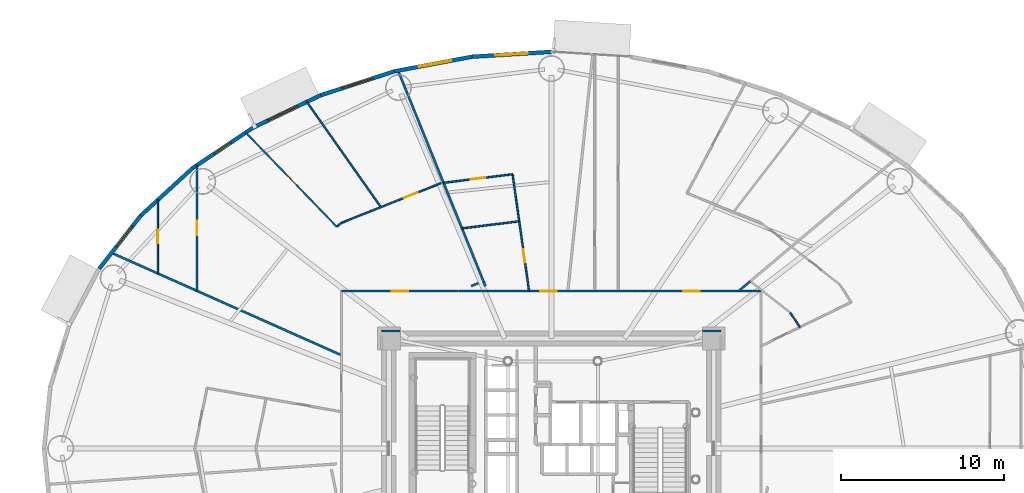
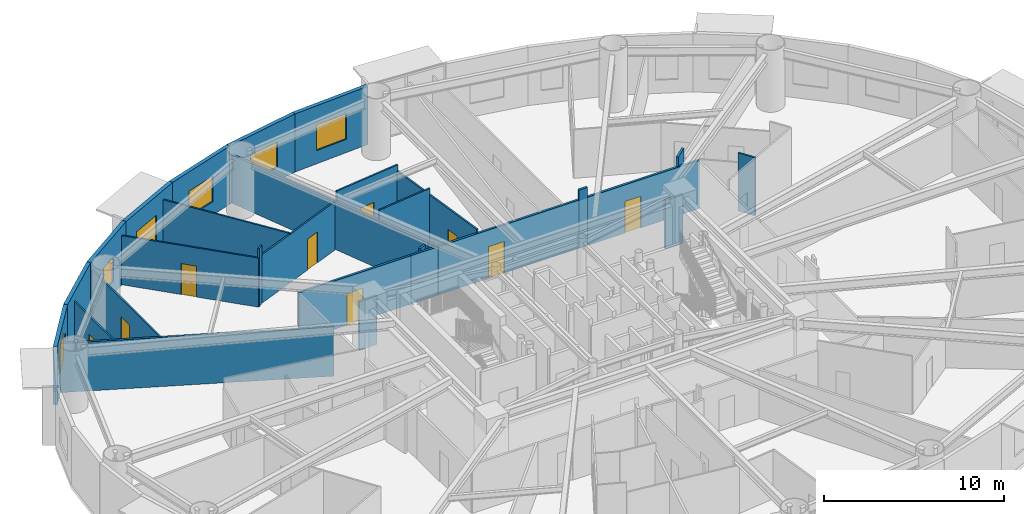
# One storey, part 12 of 21: 29 walls, 9 doors, 6 windows, 15 openings.
"""IFC4 building model written with IfcOpenShell, lengths in metres."""

from ifc_helpers import new_model, si_unit, direction, frame, frame_2d, origin, origin_2d, place, context, subcontext, project, spatial, rectangle, extrude, source, transform, mapped, material, layer, layer_set, type_object, element, fill, save


model = new_model("IFC4")

# Units and contexts
model_context = context("Model", 3, precision=1e-05, world=origin(), true_north=direction((0.0, 1.0)))
body_context = subcontext(model_context, "Body", "Model", "MODEL_VIEW")
ifc_project = project(units=[si_unit("LENGTHUNIT", "METRE"), si_unit("AREAUNIT", "SQUARE_METRE"), si_unit("VOLUMEUNIT", "CUBIC_METRE"), si_unit("PLANEANGLEUNIT", "RADIAN"), si_unit("MASSUNIT", "GRAM", prefix="KILO")], contexts=[model_context])

# Site, building, storey
site_placement = place(None, origin())
site = spatial("IfcSite", under=ifc_project, at=site_placement, CompositionType="ELEMENT")
building_placement = place(site_placement, origin())
building = spatial("IfcBuilding", under=site, at=building_placement, Name="Linh Dai School and Residence Tower", CompositionType="ELEMENT")
storey_placement = place(building_placement, frame((0.0, 0.0, 61.800048828125)))
storey = spatial("IfcBuildingStorey", under=building, at=storey_placement, Name="L14", CompositionType="ELEMENT", Elevation=61.800048828125)

# Wall, opening, window
ifc_material_1 = material(Name="Precast Concrete B45 (C35/45)", Category="concrete")
ifc_layer_1 = layer(ifc_material_1, 0.239990234375)
ifc_layer_set_1 = layer_set([ifc_layer_1], Name="Precast Concrete B45 (C35/45)")
wall_type_1 = type_object("IfcWallType", Name="EW-TC-240", PredefinedType="SOLIDWALL", material=ifc_layer_set_1)
wall_1_placement = place(storey_placement, frame((31.134521484375, 51.005126953125, 0.0), z_axis=(0.0, 0.0, 1.0), x_axis=(0.998106954071, 0.061502099433, 0.0)))
wall_1 = element("IfcWall", 1, at=wall_1_placement, inside=storey, type_object=wall_type_1, Name="L14 Terracotta Exterior Wall 11", PredefinedType="SOLIDWALL", context=body_context, shape_type="SweptSolid", body=[
    extrude(rectangle(XDim=4.874755859375, YDim=0.239990234375, at=frame_2d((2.4375, 0.0))), origin(), (0.0, 0.0, 1.0), 3.949951171875),
])
opening_1_placement = place(wall_1_placement, frame((1.437255859375, 0.0, 0.89990234375)))
opening_1 = element("IfcOpeningElement", 2, at=opening_1_placement, cuts=wall_1, Name="Opening W1", PredefinedType="OPENING", context=body_context, shape_type="SweptSolid", body=[
    extrude(rectangle(XDim=2.0, YDim=1.75, at=origin_2d()), frame((1.0, 0.1298828125, 0.875), z_axis=(0.0, -1.0, 0.0), x_axis=(1.0, 0.0, 0.0)), (0.0, 0.0, 1.0), 0.260009765625),
])
ifc_material_2 = material(Name="Double Low-E Insulated Glazing", Category="glass")
window_type_1 = type_object("IfcWindowType", Name="WN-RES-2000x1750", PartitioningType="DOUBLE_PANEL_VERTICAL", PredefinedType="WINDOW", material=ifc_material_2)
shared_shape_1 = source(origin(), body_context, "Body", "SweptSolid", [
    extrude(rectangle(XDim=2.0, YDim=1.75, at=origin_2d()), frame((1.0, 0.030029296875, 0.875), z_axis=(0.0, -1.0, 0.0), x_axis=(1.0, 0.0, 0.0)), (0.0, 0.0, 1.0), 0.06005859375),
])
window_1_placement = place(opening_1_placement, origin())
window_1 = element("IfcWindow", 3, at=window_1_placement, inside=storey, type_object=window_type_1, Name="L14 Exterior Window 11.1", OverallHeight=1.75, OverallWidth=2.0, PartitioningType="DOUBLE_PANEL_VERTICAL", PredefinedType="WINDOW", context=body_context, shape_type="MappedRepresentation", body=[
    mapped(shared_shape_1, transform((0.0, 0.0, 0.0), x_axis=(1.0, 0.0, 0.0), y_axis=(0.0, 1.0, 0.0), z_axis=(0.0, 0.0, 1.0), scale=1.0)),
])
fill(opening_1, window_1)

wall_2_placement = place(storey_placement, frame((26.389404296875, 50.11328125, 0.0), z_axis=(0.0, 0.0, 1.0), x_axis=(0.982791952378, 0.184715939598, 0.0)))
wall_2 = element("IfcWall", 4, at=wall_2_placement, inside=storey, type_object=wall_type_1, Name="L14 Terracotta Exterior Wall 12", PredefinedType="SOLIDWALL", context=body_context, shape_type="SweptSolid", body=[
    extrude(rectangle(XDim=4.828125, YDim=0.239990234375, at=frame_2d((2.4140625, 0.0))), origin(), (0.0, 0.0, 1.0), 3.949951171875),
])
opening_2_placement = place(wall_2_placement, frame((1.536376953125, 0.0, 0.89990234375)))
opening_2 = element("IfcOpeningElement", 5, at=opening_2_placement, cuts=wall_2, Name="Opening W1", PredefinedType="OPENING", context=body_context, shape_type="SweptSolid", body=[
    extrude(rectangle(XDim=2.0, YDim=1.75, at=origin_2d()), frame((1.0, 0.1298828125, 0.875), z_axis=(0.0, -1.0, 0.0), x_axis=(1.0, 0.0, 0.0)), (0.0, 0.0, 1.0), 0.260009765625),
])
window_2_placement = place(opening_2_placement, origin())
window_2 = element("IfcWindow", 6, at=window_2_placement, inside=storey, type_object=window_type_1, Name="L14 Exterior Window 12.1", OverallHeight=1.75, OverallWidth=2.0, PartitioningType="DOUBLE_PANEL_VERTICAL", PredefinedType="WINDOW", context=body_context, shape_type="MappedRepresentation", body=[
    mapped(shared_shape_1, transform((0.0, 0.0, 0.0), x_axis=(1.0, 0.0, 0.0), y_axis=(0.0, 1.0, 0.0), z_axis=(0.0, 0.0, 1.0), scale=1.0)),
])
fill(opening_2, window_2)

wall_3_placement = place(storey_placement, frame((21.8818359375, 48.651123046875, 0.0), z_axis=(0.0, 0.0, 1.0), x_axis=(0.951207699013, 0.308551313946, 0.0)))
wall_3 = element("IfcWall", 7, at=wall_3_placement, inside=storey, type_object=wall_type_1, Name="L14 Terracotta Exterior Wall 13", PredefinedType="SOLIDWALL", context=body_context, shape_type="SweptSolid", body=[
    extrude(rectangle(XDim=4.73876953125, YDim=0.239990234375, at=frame_2d((2.369384765625, 0.0))), origin(), (0.0, 0.0, 1.0), 3.949951171875),
])
opening_3_placement = place(wall_3_placement, frame((1.369384765625, 0.0, 0.89990234375)))
opening_3 = element("IfcOpeningElement", 8, at=opening_3_placement, cuts=wall_3, Name="Opening W1", PredefinedType="OPENING", context=body_context, shape_type="SweptSolid", body=[
    extrude(rectangle(XDim=2.0, YDim=1.75, at=origin_2d()), frame((1.0, 0.1298828125, 0.875), z_axis=(0.0, -1.0, 0.0), x_axis=(1.0, 0.0, 0.0)), (0.0, 0.0, 1.0), 0.260009765625),
])
window_3_placement = place(opening_3_placement, origin())
window_3 = element("IfcWindow", 9, at=window_3_placement, inside=storey, type_object=window_type_1, Name="L14 Exterior Window 13.1", OverallHeight=1.75, OverallWidth=2.0, PartitioningType="DOUBLE_PANEL_VERTICAL", PredefinedType="WINDOW", context=body_context, shape_type="MappedRepresentation", body=[
    mapped(shared_shape_1, transform((0.0, 0.0, 0.0), x_axis=(1.0, 0.0, 0.0), y_axis=(0.0, 1.0, 0.0), z_axis=(0.0, 0.0, 1.0), scale=1.0)),
])
fill(opening_3, window_3)

wall_4_placement = place(storey_placement, frame((17.722900390625, 46.65576171875, 0.0), z_axis=(0.0, 0.0, 1.0), x_axis=(0.901601503137, 0.432567601123, 0.0)))
wall_4 = element("IfcWall", 10, at=wall_4_placement, inside=storey, type_object=wall_type_1, Name="L14 Terracotta Exterior Wall 14", PredefinedType="SOLIDWALL", context=body_context, shape_type="SweptSolid", body=[
    extrude(rectangle(XDim=4.61279296875, YDim=0.239990234375, at=frame_2d((2.306396484375, 0.0))), origin(), (0.0, 0.0, 1.0), 3.949951171875),
])
opening_4_placement = place(wall_4_placement, frame((1.03369140625, 0.0, 0.89990234375)))
opening_4 = element("IfcOpeningElement", 11, at=opening_4_placement, cuts=wall_4, Name="Opening W1", PredefinedType="OPENING", context=body_context, shape_type="SweptSolid", body=[
    extrude(rectangle(XDim=2.0, YDim=1.75, at=origin_2d()), frame((1.0, 0.1298828125, 0.875), z_axis=(0.0, -1.0, 0.0), x_axis=(1.0, 0.0, 0.0)), (0.0, 0.0, 1.0), 0.260009765625),
])
window_4_placement = place(opening_4_placement, origin())
window_4 = element("IfcWindow", 12, at=window_4_placement, inside=storey, type_object=window_type_1, Name="L14 Exterior Window 14.1", OverallHeight=1.75, OverallWidth=2.0, PartitioningType="DOUBLE_PANEL_VERTICAL", PredefinedType="WINDOW", context=body_context, shape_type="MappedRepresentation", body=[
    mapped(shared_shape_1, transform((0.0, 0.0, 0.0), x_axis=(1.0, 0.0, 0.0), y_axis=(0.0, 1.0, 0.0), z_axis=(0.0, 0.0, 1.0), scale=1.0)),
])
fill(opening_4, window_4)

wall_5_placement = place(storey_placement, frame((14.015380859375, 44.17626953125, 0.0), z_axis=(0.0, 0.0, 1.0), x_axis=(0.831240982525, 0.555912249343, 0.0)))
wall_5 = element("IfcWall", 13, at=wall_5_placement, inside=storey, type_object=wall_type_1, Name="L14 Terracotta Exterior Wall 15", PredefinedType="SOLIDWALL", context=body_context, shape_type="SweptSolid", body=[
    extrude(rectangle(XDim=4.460205078125, YDim=0.239990234375, at=frame_2d((2.22998046875, 0.0))), origin(), (0.0, 0.0, 1.0), 3.949951171875),
])
opening_5_placement = place(wall_5_placement, frame((1.5927734375, 0.0, 0.89990234375)))
opening_5 = element("IfcOpeningElement", 14, at=opening_5_placement, cuts=wall_5, Name="Opening W3", PredefinedType="OPENING", context=body_context, shape_type="SweptSolid", body=[
    extrude(rectangle(XDim=1.25, YDim=1.64990234375, at=origin_2d()), frame((0.625, 0.1298828125, 0.824951171875), z_axis=(0.0, -1.0, 0.0), x_axis=(1.0, 0.0, 0.0)), (0.0, 0.0, 1.0), 0.260009765625),
])
window_type_2 = type_object("IfcWindowType", Name="WN-RES-1250x1650", PartitioningType="SINGLE_PANEL", PredefinedType="WINDOW", material=ifc_material_2)
shared_shape_2 = source(origin(), body_context, "Body", "SweptSolid", [
    extrude(rectangle(XDim=1.25, YDim=1.64990234375, at=origin_2d()), frame((0.625, 0.030029296875, 0.824951171875), z_axis=(0.0, -1.0, 0.0), x_axis=(1.0, 0.0, 0.0)), (0.0, 0.0, 1.0), 0.06005859375),
])
window_5_placement = place(opening_5_placement, origin())
window_5 = element("IfcWindow", 15, at=window_5_placement, inside=storey, type_object=window_type_2, Name="L14 Dwelling Window U1404-LIV", OverallHeight=1.64990234375, OverallWidth=1.25, PartitioningType="SINGLE_PANEL", PredefinedType="WINDOW", context=body_context, shape_type="MappedRepresentation", body=[
    mapped(shared_shape_2, transform((0.0, 0.0, 0.0), x_axis=(1.0, 0.0, 0.0), y_axis=(0.0, 1.0, 0.0), z_axis=(0.0, 0.0, 1.0), scale=1.0)),
])
fill(opening_5, window_5)

# Wall
wall_6_placement = place(storey_placement, frame((10.850341796875, 41.274658203125, 0.0), z_axis=(0.0, 0.0, 1.0), x_axis=(0.737116376281, 0.67576582321, 0.0)))
element("IfcWall", 16, at=wall_6_placement, inside=storey, type_object=wall_type_1, Name="L14 Terracotta Exterior Wall 16", PredefinedType="SOLIDWALL", context=body_context, shape_type="SweptSolid", body=[
    extrude(rectangle(XDim=4.293701171875, YDim=0.239990234375, at=frame_2d((2.14697265625, 0.0))), origin(), (0.0, 0.0, 1.0), 3.949951171875),
])

# Wall, opening, window
wall_7_placement = place(storey_placement, frame((8.305419921875, 38.022705078125, 0.0), z_axis=(0.0, 0.0, 1.0), x_axis=(0.616295508253, 0.787514981767, 0.0)))
wall_7 = element("IfcWall", 17, at=wall_7_placement, inside=storey, type_object=wall_type_1, Name="L14 Terracotta Exterior Wall 17", PredefinedType="SOLIDWALL", context=body_context, shape_type="SweptSolid", body=[
    extrude(rectangle(XDim=4.12939453125, YDim=0.239990234375, at=frame_2d((2.064697265625, 0.0))), origin(), (0.0, 0.0, 1.0), 3.949951171875),
])
opening_6_placement = place(wall_7_placement, frame((1.70068359375, 0.0, 0.89990234375)))
opening_6 = element("IfcOpeningElement", 18, at=opening_6_placement, cuts=wall_7, Name="Opening W2", PredefinedType="OPENING", context=body_context, shape_type="SweptSolid", body=[
    extrude(rectangle(XDim=1.60009765625, YDim=1.75, at=origin_2d()), frame((0.800048828125, 0.1298828125, 0.875), z_axis=(0.0, -1.0, 0.0), x_axis=(1.0, 0.0, 0.0)), (0.0, 0.0, 1.0), 0.260009765625),
])
window_type_3 = type_object("IfcWindowType", Name="WN-RES-1600x1750", PartitioningType="DOUBLE_PANEL_VERTICAL", PredefinedType="WINDOW", material=ifc_material_2)
shared_shape_3 = source(origin(), body_context, "Body", "SweptSolid", [
    extrude(rectangle(XDim=1.60009765625, YDim=1.75, at=origin_2d()), frame((0.800048828125, 0.030029296875, 0.875), z_axis=(0.0, -1.0, 0.0), x_axis=(1.0, 0.0, 0.0)), (0.0, 0.0, 1.0), 0.06005859375),
])
window_6_placement = place(opening_6_placement, origin())
window_6 = element("IfcWindow", 19, at=window_6_placement, inside=storey, type_object=window_type_3, Name="L14 Exterior Window 17.1", OverallHeight=1.75, OverallWidth=1.60009765625, PartitioningType="DOUBLE_PANEL_VERTICAL", PredefinedType="WINDOW", context=body_context, shape_type="MappedRepresentation", body=[
    mapped(shared_shape_3, transform((0.0, 0.0, 0.0), x_axis=(1.0, 0.0, 0.0), y_axis=(0.0, 1.0, 0.0), z_axis=(0.0, 0.0, 1.0), scale=1.0)),
])
fill(opening_6, window_6)

# Wall
ifc_material_3 = material(Name="Autoclaved Aerated Concrete Blockwork", Category="masonry")
ifc_layer_2 = layer(ifc_material_3, 0.135009765625)
ifc_layer_set_2 = layer_set([ifc_layer_2], Name="Autoclaved Aerated Concrete Blockwork")
wall_type_2 = type_object("IfcWallType", Name="IW-CORR-135-EI90", PredefinedType="PARTITIONING", material=ifc_layer_set_2)
wall_8_placement = place(storey_placement, frame((9.0595703125, 38.99462890625, 0.0), z_axis=(0.0, 0.0, 1.0), x_axis=(0.913545036193, -0.406737589666, 0.0)))
element("IfcWall", 20, at=wall_8_placement, inside=storey, type_object=wall_type_2, Name="L14 Interior Partition Wall 003", PredefinedType="PARTITIONING", context=body_context, shape_type="SweptSolid", body=[
    extrude(rectangle(XDim=15.423828125, YDim=0.135009765625, at=frame_2d((7.7119140625, 0.0))), origin(), (0.0, 0.0, 1.0), 3.3349609375),
])

# Wall, opening, door
wall_9_placement = place(storey_placement, frame((23.14990234375, 36.64990234375, 0.0), z_axis=(0.0, 0.0, 1.0), x_axis=(1.0, 0.0, 0.0)))
wall_9 = element("IfcWall", 21, at=wall_9_placement, inside=storey, type_object=wall_type_2, Name="L14 Interior Partition Wall 022", PredefinedType="PARTITIONING", context=body_context, shape_type="SweptSolid", body=[
    extrude(rectangle(XDim=7.17138671875, YDim=0.135009765625, at=frame_2d((3.585693359375, 0.0))), origin(), (0.0, 0.0, 1.0), 3.284912109375),
])
opening_7_placement = place(wall_9_placement, frame((3.085693359375, 0.0, 0.0)))
opening_7 = element("IfcOpeningElement", 22, at=opening_7_placement, cuts=wall_9, Name="Opening D03", PredefinedType="OPENING", context=body_context, shape_type="SweptSolid", body=[
    extrude(rectangle(XDim=1.0, YDim=2.14990234375, at=origin_2d()), frame((0.5, 0.07763671875, 1.074951171875), z_axis=(0.0, -1.0, 0.0), x_axis=(1.0, 0.0, 0.0)), (0.0, 0.0, 1.0), 0.155029296875),
])
ifc_material_4 = material(Name="Fire-Rated Solid Timber Entrance Door", Category="wood")
door_type_1 = type_object("IfcDoorType", Name="DR-FLAT-1000x2150-FD60S", OperationType="NOTDEFINED", PredefinedType="DOOR", material=ifc_material_4)
shared_shape_4 = source(origin(), body_context, "Body", "SweptSolid", [
    extrude(rectangle(XDim=1.0, YDim=2.14990234375, at=origin_2d()), frame((0.5, 0.02490234375, 1.074951171875), z_axis=(0.0, -1.0, 0.0), x_axis=(1.0, 0.0, 0.0)), (0.0, 0.0, 1.0), 0.050048828125),
])
door_1_placement = place(opening_7_placement, origin())
door_1 = element("IfcDoor", 23, at=door_1_placement, inside=storey, type_object=door_type_1, Name="L14 U1404 Apartment Entrance Door", OperationType="SINGLE_SWING_RIGHT", OverallHeight=2.14990234375, OverallWidth=1.0, PredefinedType="DOOR", context=body_context, shape_type="MappedRepresentation", body=[
    mapped(shared_shape_4, transform((0.0, 0.0, 0.0), x_axis=(1.0, 0.0, 0.0), y_axis=(0.0, 1.0, 0.0), z_axis=(0.0, 0.0, 1.0), scale=1.0)),
])
fill(opening_7, door_1)

# Wall
wall_10_placement = place(storey_placement, frame((26.61083984375, 50.159912109375, 0.0), z_axis=(0.0, 0.0, 1.0), x_axis=(0.375705515061, -0.926739103498, 0.0)))
element("IfcWall", 24, at=wall_10_placement, inside=storey, type_object=wall_type_2, Name="L14 Interior Partition Wall 024", PredefinedType="PARTITIONING", context=body_context, shape_type="SweptSolid", body=[
    extrude(rectangle(XDim=13.947021484375, YDim=0.135009765625, at=frame_2d((6.9736328125, 0.0))), origin(), (0.0, 0.0, 1.0), 3.284912109375),
])

# Wall, opening, door
wall_11_placement = place(storey_placement, frame((32.087890625, 36.64990234375, 0.0), z_axis=(0.0, 0.0, 1.0), x_axis=(1.0, 0.0, 0.0)))
wall_11 = element("IfcWall", 25, at=wall_11_placement, inside=storey, type_object=wall_type_2, Name="L14 Interior Partition Wall 042", PredefinedType="PARTITIONING", context=body_context, shape_type="SweptSolid", body=[
    extrude(rectangle(XDim=9.035888671875, YDim=0.135009765625, at=frame_2d((4.51806640625, 0.0))), origin(), (0.0, 0.0, 1.0), 3.284912109375),
])
opening_8_placement = place(wall_11_placement, frame((3.23828125, 0.0, 0.0)))
opening_8 = element("IfcOpeningElement", 26, at=opening_8_placement, cuts=wall_11, Name="Opening D03", PredefinedType="OPENING", context=body_context, shape_type="SweptSolid", body=[
    extrude(rectangle(XDim=1.0, YDim=2.14990234375, at=origin_2d()), frame((0.5, 0.07763671875, 1.074951171875), z_axis=(0.0, -1.0, 0.0), x_axis=(1.0, 0.0, 0.0)), (0.0, 0.0, 1.0), 0.155029296875),
])
door_2_placement = place(opening_8_placement, origin())
door_2 = element("IfcDoor", 27, at=door_2_placement, inside=storey, type_object=door_type_1, Name="L14 U1403 Apartment Entrance Door", OperationType="SINGLE_SWING_LEFT", OverallHeight=2.14990234375, OverallWidth=1.0, PredefinedType="DOOR", context=body_context, shape_type="MappedRepresentation", body=[
    mapped(shared_shape_4, transform((0.0, 0.0, 0.0), x_axis=(1.0, 0.0, 0.0), y_axis=(0.0, 1.0, 0.0), z_axis=(0.0, 0.0, 1.0), scale=1.0)),
])
fill(opening_8, door_2)

wall_12_placement = place(storey_placement, frame((41.6787109375, 36.64990234375, 0.0), z_axis=(0.0, 0.0, 1.0), x_axis=(1.0, 0.0, 0.0)))
wall_12 = element("IfcWall", 28, at=wall_12_placement, inside=storey, type_object=wall_type_2, Name="L14 Interior Partition Wall 079", PredefinedType="PARTITIONING", context=body_context, shape_type="SweptSolid", body=[
    extrude(rectangle(XDim=7.17138671875, YDim=0.135009765625, at=frame_2d((3.585693359375, 0.0))), origin(), (0.0, 0.0, 1.0), 3.284912109375),
])
opening_9_placement = place(wall_12_placement, frame((2.4169921875, 0.0, 0.0)))
opening_9 = element("IfcOpeningElement", 29, at=opening_9_placement, cuts=wall_12, Name="Opening D03", PredefinedType="OPENING", context=body_context, shape_type="SweptSolid", body=[
    extrude(rectangle(XDim=1.0, YDim=2.14990234375, at=origin_2d()), frame((0.5, 0.07763671875, 1.074951171875), z_axis=(0.0, -1.0, 0.0), x_axis=(1.0, 0.0, 0.0)), (0.0, 0.0, 1.0), 0.155029296875),
])
door_3_placement = place(opening_9_placement, origin())
door_3 = element("IfcDoor", 30, at=door_3_placement, inside=storey, type_object=door_type_1, Name="L14 U1402 Apartment Entrance Door", OperationType="SINGLE_SWING_RIGHT", OverallHeight=2.14990234375, OverallWidth=1.0, PredefinedType="DOOR", context=body_context, shape_type="MappedRepresentation", body=[
    mapped(shared_shape_4, transform((0.0, 0.0, 0.0), x_axis=(1.0, 0.0, 0.0), y_axis=(0.0, 1.0, 0.0), z_axis=(0.0, 0.0, 1.0), scale=1.0)),
])
fill(opening_9, door_3)

# Walls
wall_13_placement = place(storey_placement, frame((47.472900390625, 36.64990234375, 0.0), z_axis=(0.0, 0.0, 1.0), x_axis=(0.765142102307, 0.643861447268, 0.0)))
element("IfcWall", 31, at=wall_13_placement, inside=storey, type_object=wall_type_2, Name="L14 Interior Partition Wall 086", PredefinedType="PARTITIONING", context=body_context, shape_type="SweptSolid", body=[
    extrude(rectangle(XDim=0.93212890625, YDim=0.135009765625, at=frame_2d((0.466064453125, 0.0))), origin(), (0.0, 0.0, 1.0), 3.949951171875),
])
wall_14_placement = place(storey_placement, frame((30.331298828125, 36.64990234375, 0.0), z_axis=(0.0, 0.0, 1.0), x_axis=(1.0, 0.0, 0.0)))
element("IfcWall", 32, at=wall_14_placement, inside=storey, type_object=wall_type_2, Name="L14 Interior Partition Wall 114", PredefinedType="PARTITIONING", context=body_context, shape_type="SweptSolid", body=[
    extrude(rectangle(XDim=1.74658203125, YDim=0.135009765625, at=frame_2d((0.873291015625, 0.0))), origin(), (0.0, 0.0, 1.0), 3.284912109375),
])
wall_15_placement = place(storey_placement, frame((41.1337890625, 36.64990234375, 0.0), z_axis=(0.0, 0.0, 1.0), x_axis=(1.0, 0.0, 0.0)))
element("IfcWall", 33, at=wall_15_placement, inside=storey, type_object=wall_type_2, Name="L14 Interior Partition Wall 115", PredefinedType="PARTITIONING", context=body_context, shape_type="SweptSolid", body=[
    extrude(rectangle(XDim=0.534912109375, YDim=0.135009765625, at=frame_2d((0.267578125, 0.0))), origin(), (0.0, 0.0, 1.0), 3.949951171875),
])
for number, where, z_axis, x_axis, name in (
    (34, (46.39990234375, 34.199951171875, 0.0), (0.0, 0.0, 1.0), (-1.0, 0.0, 0.0), "L14 Interior Partition Wall 119"),
    (35, (26.739990234375, 34.199951171875, 0.0), (0.0, 0.0, 1.0), (-1.0, 0.0, 0.0), "L14 Interior Partition Wall 120"),
):
    element("IfcWall", number, at=place(storey_placement, frame(where, z_axis=z_axis, x_axis=x_axis)), inside=storey, type_object=wall_type_2, Name=name, PredefinedType="PARTITIONING", context=body_context, shape_type="SweptSolid", body=[
        extrude(rectangle(XDim=1.139892578125, YDim=0.135009765625, at=frame_2d((0.56982421875, 0.0))), origin(), (0.0, 0.0, 1.0), 3.284912109375),
    ])
wall_16_placement = place(storey_placement, frame((31.537841796875, 37.13525390625, 0.0), z_axis=(0.0, 0.0, 1.0), x_axis=(-0.928897092386, -0.370337942638, 0.0)))
element("IfcWall", 36, at=wall_16_placement, inside=storey, type_object=wall_type_2, Name="L14 Interior Partition Wall 128", PredefinedType="PARTITIONING", context=body_context, shape_type="SweptSolid", body=[
    extrude(rectangle(XDim=0.47998046875, YDim=0.135009765625, at=frame_2d((0.239990234375, 0.0))), origin(), (0.0, 0.0, 1.0), 3.284912109375),
])
ifc_layer_3 = layer(ifc_material_3, 0.14990234375)
ifc_layer_set_3 = layer_set([ifc_layer_3], Name="Autoclaved Aerated Concrete Blockwork")
wall_type_3 = type_object("IfcWallType", Name="IW-SCH-150-EI60", PredefinedType="PARTITIONING", material=ifc_layer_set_3)
wall_17_placement = place(storey_placement, frame((31.963134765625, 36.95751953125, 0.0), z_axis=(0.0, 0.0, 1.0), x_axis=(-0.375901177524, 0.926659756727, 0.0)))
element("IfcWall", 37, at=wall_17_placement, inside=storey, type_object=wall_type_3, Name="L14 Interior Partition Wall 127", PredefinedType="PARTITIONING", context=body_context, shape_type="SweptSolid", body=[
    extrude(rectangle(XDim=0.2890625, YDim=0.14990234375, at=frame_2d((0.14453125, 0.0))), origin(), (0.0, 0.0, 1.0), 3.284912109375),
])

# Wall, opening, door
ifc_material_5 = material(Name="Gypsum Plasterboard Acoustic Stud Partition", Category="masonry")
ifc_layer_4 = layer(ifc_material_5, 0.10009765625)
ifc_layer_set_4 = layer_set([ifc_layer_4], Name="Gypsum Plasterboard Acoustic Stud Partition")
wall_type_4 = type_object("IfcWallType", Name="IW-UNIT-100", PredefinedType="PARTITIONING", material=ifc_layer_set_4)
wall_18_placement = place(storey_placement, frame((11.90185546875, 37.729248046875, 0.0), z_axis=(0.0, 0.0, 1.0), x_axis=(0.0, 1.0, 0.0)))
wall_18 = element("IfcWall", 38, at=wall_18_placement, inside=storey, type_object=wall_type_4, Name="L14 Interior Partition Wall 005", PredefinedType="PARTITIONING", context=body_context, shape_type="SweptSolid", body=[
    extrude(rectangle(XDim=4.51611328125, YDim=0.10009765625, at=frame_2d((2.258056640625, 0.0))), origin(), (0.0, 0.0, 1.0), 3.3349609375),
])
opening_10_placement = place(wall_18_placement, frame((1.84814453125, 0.0, 0.0)))
opening_10 = element("IfcOpeningElement", 39, at=opening_10_placement, cuts=wall_18, Name="Opening D06", PredefinedType="OPENING", context=body_context, shape_type="SweptSolid", body=[
    extrude(rectangle(XDim=0.820068359375, YDim=2.10009765625, at=origin_2d()), frame((0.41015625, 0.06005859375, 1.050048828125), z_axis=(0.0, -1.0, 0.0), x_axis=(1.0, 0.0, 0.0)), (0.0, 0.0, 1.0), 0.1201171875),
])
ifc_material_6 = material(Name="Moisture-Resistant Timber Bathroom Door", Category="wood")
door_type_2 = type_object("IfcDoorType", Name="DR-WET-820x2100", OperationType="NOTDEFINED", PredefinedType="DOOR", material=ifc_material_6)
shared_shape_5 = source(origin(), body_context, "Body", "SweptSolid", [
    extrude(rectangle(XDim=0.820068359375, YDim=2.10009765625, at=origin_2d()), frame((0.41015625, 0.02490234375, 1.050048828125), z_axis=(0.0, -1.0, 0.0), x_axis=(1.0, 0.0, 0.0)), (0.0, 0.0, 1.0), 0.050048828125),
])
door_4_placement = place(opening_10_placement, origin())
door_4 = element("IfcDoor", 40, at=door_4_placement, inside=storey, type_object=door_type_2, Name="L14 Apartment U1404 Bathroom 1 Door", OperationType="SINGLE_SWING_RIGHT", OverallHeight=2.10009765625, OverallWidth=0.820068359375, PredefinedType="DOOR", context=body_context, shape_type="MappedRepresentation", body=[
    mapped(shared_shape_5, transform((0.0, 0.0, 0.0), x_axis=(1.0, 0.0, 0.0), y_axis=(0.0, 1.0, 0.0), z_axis=(0.0, 0.0, 1.0), scale=1.0)),
])
fill(opening_10, door_4)

wall_19_placement = place(storey_placement, frame((14.295654296875, 36.663330078125, 0.0), z_axis=(0.0, 0.0, 1.0), x_axis=(0.0, 1.0, 0.0)))
wall_19 = element("IfcWall", 41, at=wall_19_placement, inside=storey, type_object=wall_type_4, Name="L14 Interior Partition Wall 010", PredefinedType="PARTITIONING", context=body_context, shape_type="SweptSolid", body=[
    extrude(rectangle(XDim=7.706298828125, YDim=0.10009765625, at=frame_2d((3.85302734375, 0.0))), origin(), (0.0, 0.0, 1.0), 3.3349609375),
])
opening_11_placement = place(wall_19_placement, frame((3.4033203125, 0.0, 0.0)))
opening_11 = element("IfcOpeningElement", 42, at=opening_11_placement, cuts=wall_19, Name="Opening D05", PredefinedType="OPENING", context=body_context, shape_type="SweptSolid", body=[
    extrude(rectangle(XDim=0.89990234375, YDim=2.10009765625, at=origin_2d()), frame((0.449951171875, 0.06005859375, 1.050048828125), z_axis=(0.0, -1.0, 0.0), x_axis=(1.0, 0.0, 0.0)), (0.0, 0.0, 1.0), 0.1201171875),
])
ifc_material_7 = material(Name="Engineered Timber Internal Door", Category="wood")
door_type_3 = type_object("IfcDoorType", Name="DR-INT-900x2100", OperationType="NOTDEFINED", PredefinedType="DOOR", material=ifc_material_7)
shared_shape_6 = source(origin(), body_context, "Body", "SweptSolid", [
    extrude(rectangle(XDim=0.89990234375, YDim=2.10009765625, at=origin_2d()), frame((0.449951171875, 0.02490234375, 1.050048828125), z_axis=(0.0, -1.0, 0.0), x_axis=(1.0, 0.0, 0.0)), (0.0, 0.0, 1.0), 0.050048828125),
])
door_5_placement = place(opening_11_placement, origin())
door_5 = element("IfcDoor", 43, at=door_5_placement, inside=storey, type_object=door_type_3, Name="L14 Apartment U1404 Kitchen Door", OperationType="SINGLE_SWING_LEFT", OverallHeight=2.10009765625, OverallWidth=0.89990234375, PredefinedType="DOOR", context=body_context, shape_type="MappedRepresentation", body=[
    mapped(shared_shape_6, transform((0.0, 0.0, 0.0), x_axis=(1.0, 0.0, 0.0), y_axis=(0.0, 1.0, 0.0), z_axis=(0.0, 0.0, 1.0), scale=1.0)),
])
fill(opening_11, door_5)

wall_20_placement = place(storey_placement, frame((17.278076171875, 46.3642578125, 0.0), z_axis=(0.0, 0.0, 1.0), x_axis=(0.695065082159, -0.718946821096, 0.0)))
wall_20 = element("IfcWall", 44, at=wall_20_placement, inside=storey, type_object=wall_type_4, Name="L14 Interior Partition Wall 013", PredefinedType="PARTITIONING", context=body_context, shape_type="SweptSolid", body=[
    extrude(rectangle(XDim=8.02490234375, YDim=0.10009765625, at=frame_2d((4.012451171875, 0.0))), origin(), (0.0, 0.0, 1.0), 3.3349609375),
])
opening_12_placement = place(wall_20_placement, frame((3.5625, 0.0, 0.0)))
opening_12 = element("IfcOpeningElement", 45, at=opening_12_placement, cuts=wall_20, Name="Opening D05", PredefinedType="OPENING", context=body_context, shape_type="SweptSolid", body=[
    extrude(rectangle(XDim=0.89990234375, YDim=2.10009765625, at=origin_2d()), frame((0.449951171875, 0.06005859375, 1.050048828125), z_axis=(0.0, -1.0, 0.0), x_axis=(1.0, 0.0, 0.0)), (0.0, 0.0, 1.0), 0.1201171875),
])
door_6_placement = place(opening_12_placement, origin())
door_6 = element("IfcDoor", 46, at=door_6_placement, inside=storey, type_object=door_type_3, Name="L14 Apartment U1404 Study Door", OperationType="SINGLE_SWING_RIGHT", OverallHeight=2.10009765625, OverallWidth=0.89990234375, PredefinedType="DOOR", context=body_context, shape_type="MappedRepresentation", body=[
    mapped(shared_shape_6, transform((0.0, 0.0, 0.0), x_axis=(1.0, 0.0, 0.0), y_axis=(0.0, 1.0, 0.0), z_axis=(0.0, 0.0, 1.0), scale=1.0)),
])
fill(opening_12, door_6)

# Walls
wall_21_placement = place(storey_placement, frame((21.017822265625, 48.2421875, 0.0), z_axis=(0.0, 0.0, 1.0), x_axis=(0.576363688098, -0.817193305799, 0.0)))
element("IfcWall", 47, at=wall_21_placement, inside=storey, type_object=wall_type_4, Name="L14 Interior Partition Wall 017", PredefinedType="PARTITIONING", context=body_context, shape_type="SweptSolid", body=[
    extrude(rectangle(XDim=7.89111328125, YDim=0.10009765625, at=frame_2d((3.945556640625, 0.0))), origin(), (0.0, 0.0, 1.0), 3.3349609375),
])
wall_22_placement = place(storey_placement, frame((22.85595703125, 40.5947265625, 0.0), z_axis=(0.0, 0.0, 1.0), x_axis=(0.787425680638, 0.616409602027, 0.0)))
element("IfcWall", 48, at=wall_22_placement, inside=storey, type_object=wall_type_4, Name="L14 Interior Partition Wall 018", PredefinedType="PARTITIONING", context=body_context, shape_type="SweptSolid", body=[
    extrude(rectangle(XDim=0.3896484375, YDim=0.10009765625, at=frame_2d((0.19482421875, 0.0))), origin(), (0.0, 0.0, 1.0), 3.949951171875),
])

# Wall, opening, door
wall_23_placement = place(storey_placement, frame((23.162841796875, 40.8349609375, 0.0), z_axis=(0.0, 0.0, 1.0), x_axis=(0.928807683782, 0.370562122386, 0.0)))
wall_23 = element("IfcWall", 49, at=wall_23_placement, inside=storey, type_object=wall_type_4, Name="L14 Interior Partition Wall 023", PredefinedType="PARTITIONING", context=body_context, shape_type="SweptSolid", body=[
    extrude(rectangle(XDim=6.5546875, YDim=0.10009765625, at=frame_2d((3.27734375, 0.0))), origin(), (0.0, 0.0, 1.0), 3.284912109375),
])
opening_13_placement = place(wall_23_placement, frame((4.101318359375, 0.0, 0.0)))
opening_13 = element("IfcOpeningElement", 50, at=opening_13_placement, cuts=wall_23, Name="Opening D05", PredefinedType="OPENING", context=body_context, shape_type="SweptSolid", body=[
    extrude(rectangle(XDim=0.89990234375, YDim=2.10009765625, at=origin_2d()), frame((0.449951171875, 0.06005859375, 1.050048828125), z_axis=(0.0, -1.0, 0.0), x_axis=(1.0, 0.0, 0.0)), (0.0, 0.0, 1.0), 0.1201171875),
])
door_7_placement = place(opening_13_placement, origin())
door_7 = element("IfcDoor", 51, at=door_7_placement, inside=storey, type_object=door_type_3, Name="L14 Apartment U1404 Principal Bedroom 1 Door", OperationType="SINGLE_SWING_LEFT", OverallHeight=2.10009765625, OverallWidth=0.89990234375, PredefinedType="DOOR", context=body_context, shape_type="MappedRepresentation", body=[
    mapped(shared_shape_6, transform((0.0, 0.0, 0.0), x_axis=(1.0, 0.0, 0.0), y_axis=(0.0, 1.0, 0.0), z_axis=(0.0, 0.0, 1.0), scale=1.0)),
])
fill(opening_13, door_7)

wall_24_placement = place(storey_placement, frame((29.399169921875, 43.282470703125, 0.0), z_axis=(0.0, 0.0, 1.0), x_axis=(0.992398165626, 0.123068602261, 0.0)))
wall_24 = element("IfcWall", 52, at=wall_24_placement, inside=storey, type_object=wall_type_4, Name="L14 Interior Partition Wall 031", PredefinedType="PARTITIONING", context=body_context, shape_type="SweptSolid", body=[
    extrude(rectangle(XDim=4.26123046875, YDim=0.10009765625, at=frame_2d((2.130615234375, 0.0))), origin(), (0.0, 0.0, 1.0), 3.949951171875),
])
opening_14_placement = place(wall_24_placement, frame((1.6806640625, 0.0, 0.0)))
opening_14 = element("IfcOpeningElement", 53, at=opening_14_placement, cuts=wall_24, Name="Opening D05", PredefinedType="OPENING", context=body_context, shape_type="SweptSolid", body=[
    extrude(rectangle(XDim=0.89990234375, YDim=2.10009765625, at=origin_2d()), frame((0.449951171875, 0.06005859375, 1.050048828125), z_axis=(0.0, -1.0, 0.0), x_axis=(1.0, 0.0, 0.0)), (0.0, 0.0, 1.0), 0.1201171875),
])
door_8_placement = place(opening_14_placement, origin())
door_8 = element("IfcDoor", 54, at=door_8_placement, inside=storey, type_object=door_type_3, Name="L14 Apartment U1403 Kitchen Door", OperationType="SINGLE_SWING_LEFT", OverallHeight=2.10009765625, OverallWidth=0.89990234375, PredefinedType="DOOR", context=body_context, shape_type="MappedRepresentation", body=[
    mapped(shared_shape_6, transform((0.0, 0.0, 0.0), x_axis=(1.0, 0.0, 0.0), y_axis=(0.0, 1.0, 0.0), z_axis=(0.0, 0.0, 1.0), scale=1.0)),
])
fill(opening_14, door_8)

# Wall
wall_25_placement = place(storey_placement, frame((30.53076171875, 40.4912109375, 0.0), z_axis=(0.0, 0.0, 1.0), x_axis=(0.99240396164, 0.123021855464, 0.0)))
element("IfcWall", 55, at=wall_25_placement, inside=storey, type_object=wall_type_4, Name="L14 Interior Partition Wall 034", PredefinedType="PARTITIONING", context=body_context, shape_type="SweptSolid", body=[
    extrude(rectangle(XDim=3.530517578125, YDim=0.10009765625, at=frame_2d((1.76513671875, 0.0))), origin(), (0.0, 0.0, 1.0), 3.949951171875),
])

# Wall, opening, door
wall_26_placement = place(storey_placement, frame((33.6279296875, 43.806884765625, 0.0), z_axis=(0.0, 0.0, 1.0), x_axis=(0.1397376792, -0.990188558312, 0.0)))
wall_26 = element("IfcWall", 56, at=wall_26_placement, inside=storey, type_object=wall_type_4, Name="L14 Interior Partition Wall 043", PredefinedType="PARTITIONING", context=body_context, shape_type="SweptSolid", body=[
    extrude(rectangle(XDim=7.227783203125, YDim=0.10009765625, at=frame_2d((3.61376953125, 0.0))), origin(), (0.0, 0.0, 1.0), 3.534912109375),
])
opening_15_placement = place(wall_26_placement, frame((4.638671875, 0.0, 0.0)))
opening_15 = element("IfcOpeningElement", 57, at=opening_15_placement, cuts=wall_26, Name="Opening D06", PredefinedType="OPENING", context=body_context, shape_type="SweptSolid", body=[
    extrude(rectangle(XDim=0.820068359375, YDim=2.10009765625, at=origin_2d()), frame((0.41015625, 0.06005859375, 1.050048828125), z_axis=(0.0, -1.0, 0.0), x_axis=(1.0, 0.0, 0.0)), (0.0, 0.0, 1.0), 0.1201171875),
])
door_9_placement = place(opening_15_placement, origin())
door_9 = element("IfcDoor", 58, at=door_9_placement, inside=storey, type_object=door_type_2, Name="L14 Apartment U1403 Bathroom Door", OperationType="SINGLE_SWING_RIGHT", OverallHeight=2.10009765625, OverallWidth=0.820068359375, PredefinedType="DOOR", context=body_context, shape_type="MappedRepresentation", body=[
    mapped(shared_shape_5, transform((0.0, 0.0, 0.0), x_axis=(1.0, 0.0, 0.0), y_axis=(0.0, 1.0, 0.0), z_axis=(0.0, 0.0, 1.0), scale=1.0)),
])
fill(opening_15, door_9)

# Wall
wall_27_placement = place(storey_placement, frame((50.639892578125, 35.32861328125, 0.0), z_axis=(0.0, 0.0, 1.0), x_axis=(0.545471206721, -0.838129561964, 0.0)))
element("IfcWall", 59, at=wall_27_placement, inside=storey, type_object=wall_type_4, Name="L14 Interior Partition Wall 096", PredefinedType="PARTITIONING", context=body_context, shape_type="SweptSolid", body=[
    extrude(rectangle(XDim=1.066162109375, YDim=0.10009765625, at=frame_2d((0.533203125, 0.0))), origin(), (0.0, 0.0, 1.0), 3.949951171875),
])

save(model, "model.ifc")
